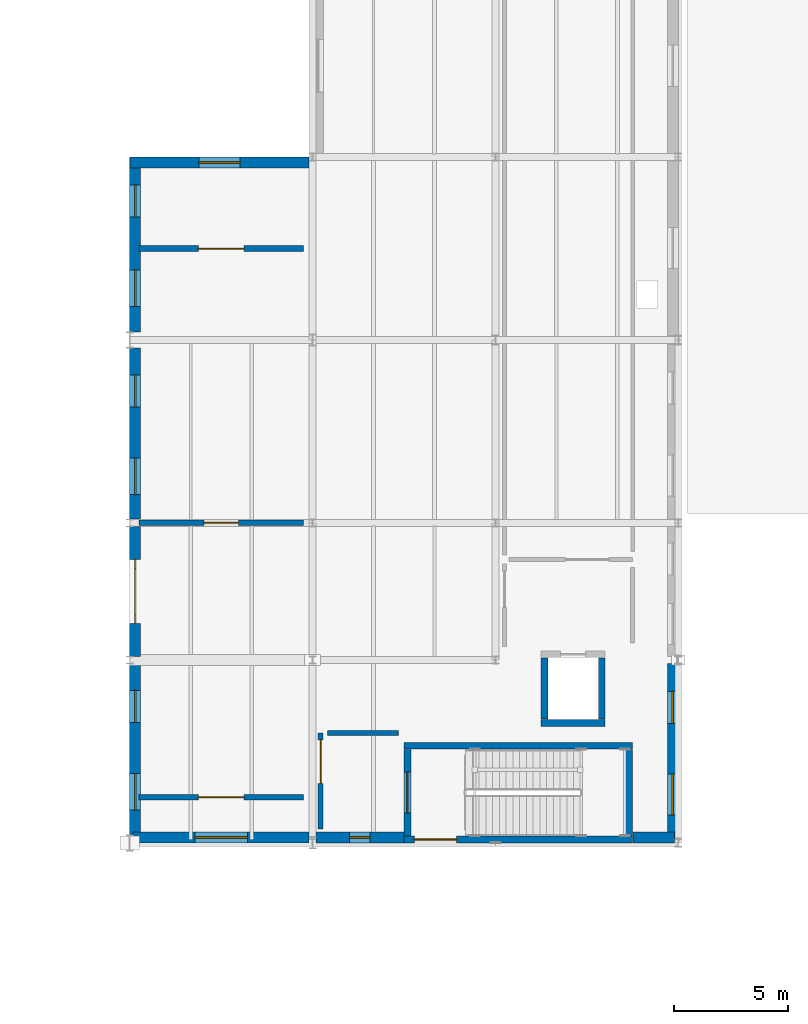
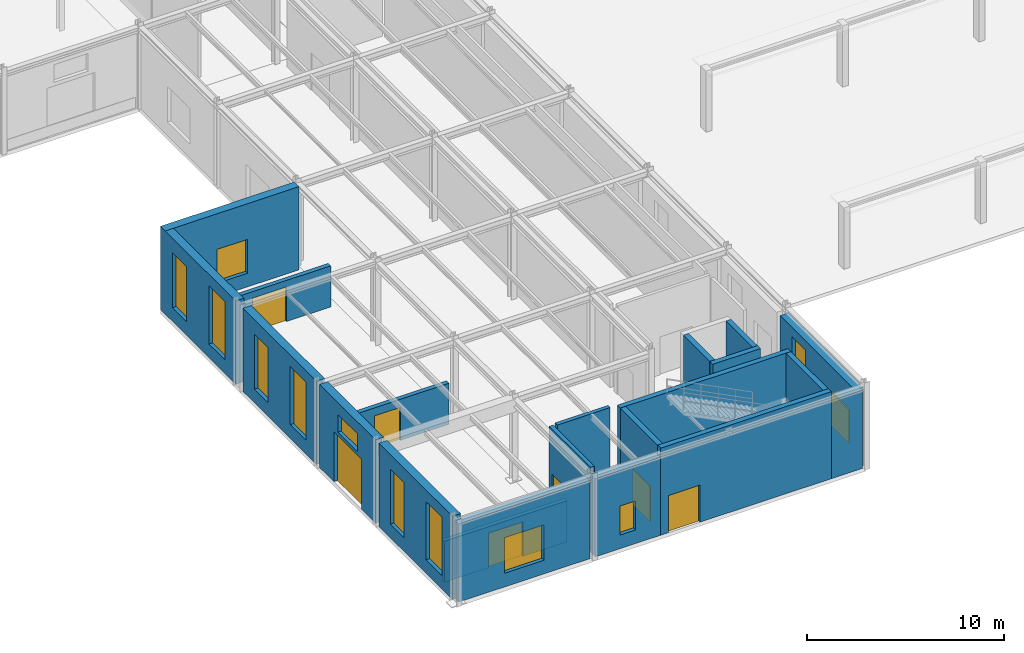
# One storey, part 76 of 129: 21 walls, 12 windows, 7 doors, 19 openings.
"""IFC4 building model written with IfcOpenShell, lengths in metres."""

from ifc_helpers import new_model, si_unit, direction, frame, frame_2d, origin, place, context, subcontext, project, spatial, rectangle, extrude, material, layer, layer_set, type_object, element, fill, save


model = new_model("IFC4")

# Units and contexts
model_context = context("Model", 3, precision=1e-05, world=origin(), true_north=direction((0.0, 1.0)))
body_context = subcontext(model_context, "Body", "Model", "MODEL_VIEW")
ifc_project = project(units=[si_unit("LENGTHUNIT", "METRE"), si_unit("AREAUNIT", "SQUARE_METRE"), si_unit("VOLUMEUNIT", "CUBIC_METRE"), si_unit("PLANEANGLEUNIT", "RADIAN"), si_unit("MASSUNIT", "GRAM", prefix="KILO")], contexts=[model_context])

# Site, building, storey
site_placement = place(None, origin())
site = spatial("IfcSite", under=ifc_project, at=site_placement, CompositionType="ELEMENT")
building_placement = place(site_placement, origin())
building = spatial("IfcBuilding", under=site, at=building_placement, Name="Sundkrona Museum", CompositionType="ELEMENT")
storey_placement = place(building_placement, origin())
storey = spatial("IfcBuildingStorey", under=building, at=storey_placement, Name="L00", CompositionType="ELEMENT", Elevation=0.0)

# Wall, opening, door
ifc_material_1 = material(Name="Concrete C40/50", Category="concrete")
ifc_layer_1 = layer(ifc_material_1, 0.300048828125)
ifc_layer_set_1 = layer_set([ifc_layer_1], Name="Concrete C40/50")
wall_type_1 = type_object("IfcWallType", Name="W-CORE-300", PredefinedType="SHEAR", material=ifc_layer_set_1)
wall_1_placement = place(storey_placement, frame((28.0, 32.14990234375, 0.0), z_axis=(0.0, 0.0, 1.0), x_axis=(1.0, 0.0, 0.0)))
wall_1 = element("IfcWall", 1, at=wall_1_placement, inside=storey, type_object=wall_type_1, Name="L00 ST-4 Core Shear Wall South", PredefinedType="SHEAR", context=body_context, shape_type="SweptSolid", body=[
    extrude(rectangle(XDim=10.0, YDim=0.300048828125, at=frame_2d((5.0, 0.0))), origin(), (0.0, 0.0, 1.0), 5.39990234375),
])
opening_1_placement = place(wall_1_placement, frame((0.449951171875, 0.0, 0.0)))
opening_1 = element("IfcOpeningElement", 2, at=opening_1_placement, cuts=wall_1, Name="Opening D-EX-185", PredefinedType="OPENING", context=body_context, shape_type="SweptSolid", body=[
    extrude(rectangle(XDim=1.85009765625, YDim=2.300048828125, at=frame_2d((0.925048828125, 1.14990234375))), frame((0.0, 0.159912109375, 0.0), z_axis=(0.0, -1.0, 0.0), x_axis=(1.0, 0.0, 0.0)), (0.0, 0.0, 1.0), 0.320068359375),
])
ifc_material_2 = material(Name="Thermally Broken Aluminium Exit Door", Category="aluminium")
door_type_1 = type_object("IfcDoorType", Name="D-EX-185", OperationType="DOUBLE_DOOR_SINGLE_SWING", PredefinedType="DOOR", material=ifc_material_2)
door_1_placement = place(opening_1_placement, origin())
door_1 = element("IfcDoor", 3, at=door_1_placement, inside=storey, type_object=door_type_1, Name="Core 4 ST-4 Forecourt Exit Door FE-10 DR-ST4-EXIT", OperationType="DOUBLE_DOOR_SINGLE_SWING", OverallHeight=2.300048828125, OverallWidth=1.85009765625, PredefinedType="DOOR", context=body_context, shape_type="SweptSolid", body=[
    extrude(rectangle(XDim=1.85009765625, YDim=2.300048828125, at=frame_2d((0.925048828125, 1.14990234375))), frame((0.0, 0.02490234375, 0.0), z_axis=(0.0, -1.0, 0.0), x_axis=(1.0, 0.0, 0.0)), (0.0, 0.0, 1.0), 0.050048828125),
])
fill(opening_1, door_1)

# Wall
wall_2_placement = place(storey_placement, frame((28.0, 36.25, 0.0), z_axis=(0.0, 0.0, 1.0), x_axis=(1.0, 0.0, 0.0)))
element("IfcWall", 4, at=wall_2_placement, inside=storey, type_object=wall_type_1, Name="L00 ST-4 Core Shear Wall North", PredefinedType="SHEAR", context=body_context, shape_type="SweptSolid", body=[
    extrude(rectangle(XDim=10.0, YDim=0.300048828125, at=frame_2d((5.0, 0.0))), origin(), (0.0, 0.0, 1.0), 5.39990234375),
])

# Wall, opening, door
wall_3_placement = place(storey_placement, frame((28.14990234375, 32.31005859375, 0.0), z_axis=(0.0, 0.0, 1.0), x_axis=(0.0, 1.0, 0.0)))
wall_3 = element("IfcWall", 5, at=wall_3_placement, inside=storey, type_object=wall_type_1, Name="L00 ST-4 Core Shear Wall West", PredefinedType="SHEAR", context=body_context, shape_type="SweptSolid", body=[
    extrude(rectangle(XDim=3.780029296875, YDim=0.300048828125, at=frame_2d((1.89013671875, 0.0))), origin(), (0.0, 0.0, 1.0), 5.39990234375),
])
opening_2_placement = place(wall_3_placement, frame((0.989990234375, 0.0, 0.0)))
opening_2 = element("IfcOpeningElement", 6, at=opening_2_placement, cuts=wall_3, Name="Opening D-FD60", PredefinedType="OPENING", context=body_context, shape_type="SweptSolid", body=[
    extrude(rectangle(XDim=1.800048828125, YDim=2.199951171875, at=frame_2d((0.89990234375, 1.10009765625))), frame((0.0, 0.159912109375, 0.0), z_axis=(0.0, -1.0, 0.0), x_axis=(1.0, 0.0, 0.0)), (0.0, 0.0, 1.0), 0.320068359375),
])
ifc_material_3 = material(Name="Steel S355J2 Fire Door Leaf", Category="steel")
door_type_2 = type_object("IfcDoorType", Name="D-FD60", OperationType="DOUBLE_DOOR_SINGLE_SWING", PredefinedType="DOOR", material=ifc_material_3)
door_2_placement = place(opening_2_placement, origin())
door_2 = element("IfcDoor", 7, at=door_2_placement, inside=storey, type_object=door_type_2, Name="L00 ST-4 Protected Escape Stair Door DR-ST-4-L00", OperationType="DOUBLE_DOOR_SINGLE_SWING", OverallHeight=2.199951171875, OverallWidth=1.800048828125, PredefinedType="DOOR", context=body_context, shape_type="SweptSolid", body=[
    extrude(rectangle(XDim=1.800048828125, YDim=2.199951171875, at=frame_2d((0.89990234375, 1.10009765625))), frame((0.0, 0.02490234375, 0.0), z_axis=(0.0, -1.0, 0.0), x_axis=(1.0, 0.0, 0.0)), (0.0, 0.0, 1.0), 0.050048828125),
])
fill(opening_2, door_2)

# Walls
wall_4_placement = place(storey_placement, frame((37.85009765625, 32.31005859375, 0.0), z_axis=(0.0, 0.0, 1.0), x_axis=(0.0, 1.0, 0.0)))
element("IfcWall", 8, at=wall_4_placement, inside=storey, type_object=wall_type_1, Name="L00 ST-4 Core Shear Wall East", PredefinedType="SHEAR", context=body_context, shape_type="SweptSolid", body=[
    extrude(rectangle(XDim=3.780029296875, YDim=0.300048828125, at=frame_2d((1.89013671875, 0.0))), origin(), (0.0, 0.0, 1.0), 5.39990234375),
])
wall_5_placement = place(storey_placement, frame((34.0, 37.25, 0.0), z_axis=(0.0, 0.0, 1.0), x_axis=(1.0, 0.0, 0.0)))
element("IfcWall", 9, at=wall_5_placement, inside=storey, type_object=wall_type_1, Name="L00 PL-4 Lift Shaft Wall South", PredefinedType="SHEAR", context=body_context, shape_type="SweptSolid", body=[
    extrude(rectangle(XDim=2.800048828125, YDim=0.300048828125, at=frame_2d((1.39990234375, 0.0))), origin(), (0.0, 0.0, 1.0), 5.39990234375),
])
for number, where, z_axis, x_axis, name in (
    (10, (34.14990234375, 37.409912109375, 0.0), (0.0, 0.0, 1.0), (0.0, 1.0, 0.0), "L00 PL-4 Lift Shaft Wall West"),
    (11, (36.64990234375, 37.409912109375, 0.0), (0.0, 0.0, 1.0), (0.0, 1.0, 0.0), "L00 PL-4 Lift Shaft Wall East"),
):
    element("IfcWall", number, at=place(storey_placement, frame(where, z_axis=z_axis, x_axis=x_axis)), inside=storey, type_object=wall_type_1, Name=name, PredefinedType="SHEAR", context=body_context, shape_type="SweptSolid", body=[
        extrude(rectangle(XDim=2.68017578125, YDim=0.300048828125, at=frame_2d((1.340087890625, 0.0))), origin(), (0.0, 0.0, 1.0), 5.39990234375),
    ])

# Wall, opening, door
ifc_material_4 = material(Name="Autoclaved Aerated Masonry 225 mm", Category="masonry")
ifc_layer_2 = layer(ifc_material_4, 0.22509765625)
ifc_layer_set_2 = layer_set([ifc_layer_2], Name="Autoclaved Aerated Masonry 225 mm")
wall_type_2 = type_object("IfcWallType", Name="W-FF-225", PredefinedType="SOLIDWALL", material=ifc_layer_set_2)
wall_6_placement = place(storey_placement, frame((24.35009765625, 32.60009765625, 0.0), z_axis=(0.0, 0.0, 1.0), x_axis=(0.0, 1.0, 0.0)))
wall_6 = element("IfcWall", 12, at=wall_6_placement, inside=storey, type_object=wall_type_2, Name="L00 Partition Core 4 Stair Lobby / Cloister Entry Gallery", PredefinedType="SOLIDWALL", context=body_context, shape_type="SweptSolid", body=[
    extrude(rectangle(XDim=4.199951171875, YDim=0.22509765625, at=frame_2d((2.10009765625, 0.0))), origin(), (0.0, 0.0, 1.0), 5.159912109375),
])
opening_3_placement = place(wall_6_placement, frame((2.0, 0.0, 0.0)))
opening_3 = element("IfcOpeningElement", 13, at=opening_3_placement, cuts=wall_6, Name="Opening D-AUD-190", PredefinedType="OPENING", context=body_context, shape_type="SweptSolid", body=[
    extrude(rectangle(XDim=1.89990234375, YDim=2.35009765625, at=frame_2d((0.949951171875, 1.175048828125))), frame((0.0, 0.12255859375, 0.0), z_axis=(0.0, -1.0, 0.0), x_axis=(1.0, 0.0, 0.0)), (0.0, 0.0, 1.0), 0.2451171875),
])
ifc_material_5 = material(Name="Acoustic Oak Fire Door", Category="other")
door_type_3 = type_object("IfcDoorType", Name="D-AUD-190", OperationType="DOUBLE_DOOR_SINGLE_SWING", PredefinedType="DOOR", material=ifc_material_5)
door_3_placement = place(opening_3_placement, origin())
door_3 = element("IfcDoor", 14, at=door_3_placement, inside=storey, type_object=door_type_3, Name="L00 Interior Door DR-ADJ-L00-0041", OperationType="DOUBLE_DOOR_SINGLE_SWING", OverallHeight=2.35009765625, OverallWidth=1.89990234375, PredefinedType="DOOR", context=body_context, shape_type="SweptSolid", body=[
    extrude(rectangle(XDim=1.89990234375, YDim=2.35009765625, at=frame_2d((0.949951171875, 1.175048828125))), frame((0.0, 0.02490234375, 0.0), z_axis=(0.0, -1.0, 0.0), x_axis=(1.0, 0.0, 0.0)), (0.0, 0.0, 1.0), 0.050048828125),
])
fill(opening_3, door_3)

# Wall
wall_7_placement = place(storey_placement, frame((24.64990234375, 36.800048828125, 0.0), z_axis=(0.0, 0.0, 1.0), x_axis=(1.0, 0.0, 0.0)))
element("IfcWall", 15, at=wall_7_placement, inside=storey, type_object=wall_type_2, Name="L00 Core 4 Stair Lobby Enclosure Wall N", PredefinedType="SOLIDWALL", context=body_context, shape_type="SweptSolid", body=[
    extrude(rectangle(XDim=3.10009765625, YDim=0.22509765625, at=frame_2d((1.550048828125, 0.0))), origin(), (0.0, 0.0, 1.0), 5.159912109375),
])

# Wall, openings, windows
ifc_material_6 = material(Name="Danian Limestone Ashlar Masonry 480 mm", Category="masonry")
ifc_layer_3 = layer(ifc_material_6, 0.47998046875)
ifc_layer_set_3 = layer_set([ifc_layer_3], Name="Danian Limestone Ashlar Masonry 480 mm")
wall_type_3 = type_object("IfcWallType", Name="W-LIM-480", PredefinedType="SOLIDWALL", material=ifc_layer_set_3)
wall_8_placement = place(storey_placement, frame((16.239990234375, 32.360107421875, 0.0), z_axis=(0.0, 0.0, 1.0), x_axis=(0.0, 1.0, 0.0)))
wall_8 = element("IfcWall", 16, at=wall_8_placement, inside=storey, type_object=wall_type_3, Name="L00 Facade Wall 0193", PredefinedType="SOLIDWALL", context=body_context, shape_type="SweptSolid", body=[
    extrude(rectangle(XDim=7.477783203125, YDim=0.47998046875, at=frame_2d((3.73876953125, 0.0))), origin(), (0.0, 0.0, 1.0), 5.159912109375),
])
opening_4_placement = place(wall_8_placement, frame((1.069580078125, 0.0, 0.85009765625)))
opening_4 = element("IfcOpeningElement", 17, at=opening_4_placement, cuts=wall_8, Name="Opening WN-LN-160x360", PredefinedType="OPENING", context=body_context, shape_type="SweptSolid", body=[
    extrude(rectangle(XDim=1.60009765625, YDim=3.60009765625, at=frame_2d((0.800048828125, 1.800048828125))), frame((0.0, 0.25, 0.0), z_axis=(0.0, -1.0, 0.0), x_axis=(1.0, 0.0, 0.0)), (0.0, 0.0, 1.0), 0.5),
])
opening_5_placement = place(wall_8_placement, frame((4.908447265625, 0.0, 0.85009765625)))
opening_5 = element("IfcOpeningElement", 18, at=opening_5_placement, cuts=wall_8, Name="Opening WN-LN-140x340", PredefinedType="OPENING", context=body_context, shape_type="SweptSolid", body=[
    extrude(rectangle(XDim=1.39990234375, YDim=3.39990234375, at=frame_2d((0.699951171875, 1.699951171875))), frame((0.0, 0.25, 0.0), z_axis=(0.0, -1.0, 0.0), x_axis=(1.0, 0.0, 0.0)), (0.0, 0.0, 1.0), 0.5),
])
ifc_material_7 = material(Name="Triple Low-E Argon Glazing in Bronze-Anodised Aluminium", Category="aluminium")
window_type_1 = type_object("IfcWindowType", Name="WN-LN-140x340", PartitioningType="SINGLE_PANEL", PredefinedType="WINDOW", material=ifc_material_7)
window_1_placement = place(opening_5_placement, origin())
window_1 = element("IfcWindow", 19, at=window_1_placement, inside=storey, type_object=window_type_1, Name="L00 Tall brick-pier gallery window 1400x3400 WIN-L00-0268", OverallHeight=3.39990234375, OverallWidth=1.39990234375, PartitioningType="SINGLE_PANEL", PredefinedType="WINDOW", context=body_context, shape_type="SweptSolid", body=[
    extrude(rectangle(XDim=1.39990234375, YDim=3.39990234375, at=frame_2d((0.699951171875, 1.699951171875))), frame((0.0, 0.030029296875, 0.0), z_axis=(0.0, -1.0, 0.0), x_axis=(1.0, 0.0, 0.0)), (0.0, 0.0, 1.0), 0.06005859375),
])
fill(opening_5, window_1)
window_type_2 = type_object("IfcWindowType", Name="WN-LN-160x360", PartitioningType="DOUBLE_PANEL_VERTICAL", PredefinedType="WINDOW", material=ifc_material_7)
window_2_placement = place(opening_4_placement, origin())
window_2 = element("IfcWindow", 20, at=window_2_placement, inside=storey, type_object=window_type_2, Name="L00 Monumental double-height lancet window 1600x3600 WIN-L00-0267", OverallHeight=3.60009765625, OverallWidth=1.60009765625, PartitioningType="DOUBLE_PANEL_VERTICAL", PredefinedType="WINDOW", context=body_context, shape_type="SweptSolid", body=[
    extrude(rectangle(XDim=1.60009765625, YDim=3.60009765625, at=frame_2d((0.800048828125, 1.800048828125))), frame((0.0, 0.030029296875, 0.0), z_axis=(0.0, -1.0, 0.0), x_axis=(1.0, 0.0, 0.0)), (0.0, 0.0, 1.0), 0.06005859375),
])
fill(opening_4, window_2)

# Wall, openings, door, window
wall_9_placement = place(storey_placement, frame((16.239990234375, 40.162109375, 0.0), z_axis=(0.0, 0.0, 1.0), x_axis=(0.0, 1.0, 0.0)))
wall_9 = element("IfcWall", 21, at=wall_9_placement, inside=storey, type_object=wall_type_3, Name="L00 Facade Wall 0194", PredefinedType="SOLIDWALL", context=body_context, shape_type="SweptSolid", body=[
    extrude(rectangle(XDim=5.67578125, YDim=0.47998046875, at=frame_2d((2.837890625, 0.0))), origin(), (0.0, 0.0, 1.0), 5.159912109375),
])
opening_6_placement = place(wall_9_placement, frame((1.43798828125, 0.0, 0.0)))
opening_6 = element("IfcOpeningElement", 22, at=opening_6_placement, cuts=wall_9, Name="Opening D-EX-280", PredefinedType="OPENING", context=body_context, shape_type="SweptSolid", body=[
    extrude(rectangle(XDim=2.800048828125, YDim=3.10009765625, at=frame_2d((1.39990234375, 1.550048828125))), frame((0.0, 0.25, 0.0), z_axis=(0.0, -1.0, 0.0), x_axis=(1.0, 0.0, 0.0)), (0.0, 0.0, 1.0), 0.5),
])
opening_7_placement = place(wall_9_placement, frame((1.837890625, 0.0, 3.320068359375)))
opening_7 = element("IfcOpeningElement", 23, at=opening_7_placement, cuts=wall_9, Name="Opening WN-CL-200x110", PredefinedType="OPENING", context=body_context, shape_type="SweptSolid", body=[
    extrude(rectangle(XDim=2.0, YDim=1.10009765625, at=frame_2d((1.0, 0.550048828125))), frame((0.0, 0.25, 0.0), z_axis=(0.0, -1.0, 0.0), x_axis=(1.0, 0.0, 0.0)), (0.0, 0.0, 1.0), 0.5),
])
ifc_material_8 = material(Name="Bronze and Triple-Glazed Entrance Door", Category="other")
door_type_4 = type_object("IfcDoorType", Name="D-EX-280", OperationType="DOUBLE_DOOR_SINGLE_SWING", PredefinedType="DOOR", material=ifc_material_8)
door_4_placement = place(opening_6_placement, origin())
door_4 = element("IfcDoor", 24, at=door_4_placement, inside=storey, type_object=door_type_4, Name="L00 Exterior Door D-EX-280 DR-FE-V4W", OperationType="DOUBLE_DOOR_SINGLE_SWING", OverallHeight=3.10009765625, OverallWidth=2.800048828125, PredefinedType="DOOR", context=body_context, shape_type="SweptSolid", body=[
    extrude(rectangle(XDim=2.800048828125, YDim=3.10009765625, at=frame_2d((1.39990234375, 1.550048828125))), frame((0.0, 0.02490234375, 0.0), z_axis=(0.0, -1.0, 0.0), x_axis=(1.0, 0.0, 0.0)), (0.0, 0.0, 1.0), 0.050048828125),
])
fill(opening_6, door_4)
window_type_3 = type_object("IfcWindowType", Name="WN-CL-200x110", PartitioningType="DOUBLE_PANEL_HORIZONTAL", PredefinedType="WINDOW", material=ifc_material_7)
window_3_placement = place(opening_7_placement, origin())
window_3 = element("IfcWindow", 25, at=window_3_placement, inside=storey, type_object=window_type_3, Name="L00 Archive foyer clerestory window 2000x1100 WIN-L00-0269", OverallHeight=1.10009765625, OverallWidth=2.0, PartitioningType="DOUBLE_PANEL_HORIZONTAL", PredefinedType="WINDOW", context=body_context, shape_type="SweptSolid", body=[
    extrude(rectangle(XDim=2.0, YDim=1.10009765625, at=frame_2d((1.0, 0.550048828125))), frame((0.0, 0.030029296875, 0.0), z_axis=(0.0, -1.0, 0.0), x_axis=(1.0, 0.0, 0.0)), (0.0, 0.0, 1.0), 0.06005859375),
])
fill(opening_7, window_3)

# Wall, openings, windows
wall_10_placement = place(storey_placement, frame((16.239990234375, 46.162109375, 0.0), z_axis=(0.0, 0.0, 1.0), x_axis=(0.0, 1.0, 0.0)))
wall_10 = element("IfcWall", 26, at=wall_10_placement, inside=storey, type_object=wall_type_3, Name="L00 Facade Wall 0195", PredefinedType="SOLIDWALL", context=body_context, shape_type="SweptSolid", body=[
    extrude(rectangle(XDim=7.477783203125, YDim=0.47998046875, at=frame_2d((3.73876953125, 0.0))), origin(), (0.0, 0.0, 1.0), 5.159912109375),
])
opening_8_placement = place(wall_10_placement, frame((1.069580078125, 0.0, 0.85009765625)))
opening_8 = element("IfcOpeningElement", 27, at=opening_8_placement, cuts=wall_10, Name="Opening WN-LN-160x360", PredefinedType="OPENING", context=body_context, shape_type="SweptSolid", body=[
    extrude(rectangle(XDim=1.60009765625, YDim=3.60009765625, at=frame_2d((0.800048828125, 1.800048828125))), frame((0.0, 0.25, 0.0), z_axis=(0.0, -1.0, 0.0), x_axis=(1.0, 0.0, 0.0)), (0.0, 0.0, 1.0), 0.5),
])
opening_9_placement = place(wall_10_placement, frame((4.908447265625, 0.0, 0.85009765625)))
opening_9 = element("IfcOpeningElement", 28, at=opening_9_placement, cuts=wall_10, Name="Opening WN-LN-140x340", PredefinedType="OPENING", context=body_context, shape_type="SweptSolid", body=[
    extrude(rectangle(XDim=1.39990234375, YDim=3.39990234375, at=frame_2d((0.699951171875, 1.699951171875))), frame((0.0, 0.25, 0.0), z_axis=(0.0, -1.0, 0.0), x_axis=(1.0, 0.0, 0.0)), (0.0, 0.0, 1.0), 0.5),
])
window_4_placement = place(opening_9_placement, origin())
window_4 = element("IfcWindow", 29, at=window_4_placement, inside=storey, type_object=window_type_1, Name="L00 Tall brick-pier gallery window 1400x3400 WIN-L00-0271", OverallHeight=3.39990234375, OverallWidth=1.39990234375, PartitioningType="SINGLE_PANEL", PredefinedType="WINDOW", context=body_context, shape_type="SweptSolid", body=[
    extrude(rectangle(XDim=1.39990234375, YDim=3.39990234375, at=frame_2d((0.699951171875, 1.699951171875))), frame((0.0, 0.030029296875, 0.0), z_axis=(0.0, -1.0, 0.0), x_axis=(1.0, 0.0, 0.0)), (0.0, 0.0, 1.0), 0.06005859375),
])
fill(opening_9, window_4)
window_5_placement = place(opening_8_placement, origin())
window_5 = element("IfcWindow", 30, at=window_5_placement, inside=storey, type_object=window_type_2, Name="L00 Monumental double-height lancet window 1600x3600 WIN-L00-0270", OverallHeight=3.60009765625, OverallWidth=1.60009765625, PartitioningType="DOUBLE_PANEL_VERTICAL", PredefinedType="WINDOW", context=body_context, shape_type="SweptSolid", body=[
    extrude(rectangle(XDim=1.60009765625, YDim=3.60009765625, at=frame_2d((0.800048828125, 1.800048828125))), frame((0.0, 0.030029296875, 0.0), z_axis=(0.0, -1.0, 0.0), x_axis=(1.0, 0.0, 0.0)), (0.0, 0.0, 1.0), 0.06005859375),
])
fill(opening_8, window_5)

wall_11_placement = place(storey_placement, frame((16.239990234375, 54.360107421875, 0.0), z_axis=(0.0, 0.0, 1.0), x_axis=(0.0, 1.0, 0.0)))
wall_11 = element("IfcWall", 31, at=wall_11_placement, inside=storey, type_object=wall_type_3, Name="L00 Facade Wall 0196", PredefinedType="SOLIDWALL", context=body_context, shape_type="SweptSolid", body=[
    extrude(rectangle(XDim=7.6298828125, YDim=0.47998046875, at=frame_2d((3.81494140625, 0.0))), origin(), (0.0, 0.0, 1.0), 5.159912109375),
])
opening_10_placement = place(wall_11_placement, frame((1.107421875, 0.0, 0.85009765625)))
opening_10 = element("IfcOpeningElement", 32, at=opening_10_placement, cuts=wall_11, Name="Opening WN-LN-160x360", PredefinedType="OPENING", context=body_context, shape_type="SweptSolid", body=[
    extrude(rectangle(XDim=1.60009765625, YDim=3.60009765625, at=frame_2d((0.800048828125, 1.800048828125))), frame((0.0, 0.25, 0.0), z_axis=(0.0, -1.0, 0.0), x_axis=(1.0, 0.0, 0.0)), (0.0, 0.0, 1.0), 0.5),
])
opening_11_placement = place(wall_11_placement, frame((5.0224609375, 0.0, 0.85009765625)))
opening_11 = element("IfcOpeningElement", 33, at=opening_11_placement, cuts=wall_11, Name="Opening WN-LN-140x340", PredefinedType="OPENING", context=body_context, shape_type="SweptSolid", body=[
    extrude(rectangle(XDim=1.39990234375, YDim=3.39990234375, at=frame_2d((0.699951171875, 1.699951171875))), frame((0.0, 0.25, 0.0), z_axis=(0.0, -1.0, 0.0), x_axis=(1.0, 0.0, 0.0)), (0.0, 0.0, 1.0), 0.5),
])
window_6_placement = place(opening_11_placement, origin())
window_6 = element("IfcWindow", 34, at=window_6_placement, inside=storey, type_object=window_type_1, Name="L00 Tall brick-pier gallery window 1400x3400 WIN-L00-0273", OverallHeight=3.39990234375, OverallWidth=1.39990234375, PartitioningType="SINGLE_PANEL", PredefinedType="WINDOW", context=body_context, shape_type="SweptSolid", body=[
    extrude(rectangle(XDim=1.39990234375, YDim=3.39990234375, at=frame_2d((0.699951171875, 1.699951171875))), frame((0.0, 0.030029296875, 0.0), z_axis=(0.0, -1.0, 0.0), x_axis=(1.0, 0.0, 0.0)), (0.0, 0.0, 1.0), 0.06005859375),
])
fill(opening_11, window_6)
window_7_placement = place(opening_10_placement, origin())
window_7 = element("IfcWindow", 35, at=window_7_placement, inside=storey, type_object=window_type_2, Name="L00 Monumental double-height lancet window 1600x3600 WIN-L00-0272", OverallHeight=3.60009765625, OverallWidth=1.60009765625, PartitioningType="DOUBLE_PANEL_VERTICAL", PredefinedType="WINDOW", context=body_context, shape_type="SweptSolid", body=[
    extrude(rectangle(XDim=1.60009765625, YDim=3.60009765625, at=frame_2d((0.800048828125, 1.800048828125))), frame((0.0, 0.030029296875, 0.0), z_axis=(0.0, -1.0, 0.0), x_axis=(1.0, 0.0, 0.0)), (0.0, 0.0, 1.0), 0.06005859375),
])
fill(opening_10, window_7)

# Wall, opening, window
wall_12_placement = place(storey_placement, frame((23.844970703125, 32.239990234375, 0.0), z_axis=(0.0, 0.0, 1.0), x_axis=(-1.0, 0.0, 0.0)))
wall_12 = element("IfcWall", 36, at=wall_12_placement, inside=storey, type_object=wall_type_3, Name="L00 Facade Wall 0197", PredefinedType="SOLIDWALL", context=body_context, shape_type="SweptSolid", body=[
    extrude(rectangle(XDim=7.69091796875, YDim=0.47998046875, at=frame_2d((3.845458984375, 0.0))), origin(), (0.0, 0.0, 1.0), 4.8349609375),
])
opening_12_placement = place(wall_12_placement, frame((2.695556640625, 0.0, 0.85009765625)))
opening_12 = element("IfcOpeningElement", 37, at=opening_12_placement, cuts=wall_12, Name="Opening WN-ED-230x220", PredefinedType="OPENING", context=body_context, shape_type="SweptSolid", body=[
    extrude(rectangle(XDim=2.300048828125, YDim=2.199951171875, at=frame_2d((1.14990234375, 1.10009765625))), frame((0.0, 0.25, 0.0), z_axis=(0.0, -1.0, 0.0), x_axis=(1.0, 0.0, 0.0)), (0.0, 0.0, 1.0), 0.5),
])
window_type_4 = type_object("IfcWindowType", Name="WN-ED-230x220", PartitioningType="DOUBLE_PANEL_VERTICAL", PredefinedType="WINDOW", material=ifc_material_7)
window_8_placement = place(opening_12_placement, origin())
window_8 = element("IfcWindow", 38, at=window_8_placement, inside=storey, type_object=window_type_4, Name="L00 Lecture foyer courtyard window 2300x2200 WIN-L00-0274", OverallHeight=2.199951171875, OverallWidth=2.300048828125, PartitioningType="DOUBLE_PANEL_VERTICAL", PredefinedType="WINDOW", context=body_context, shape_type="SweptSolid", body=[
    extrude(rectangle(XDim=2.300048828125, YDim=2.199951171875, at=frame_2d((1.14990234375, 1.10009765625))), frame((0.0, 0.030029296875, 0.0), z_axis=(0.0, -1.0, 0.0), x_axis=(1.0, 0.0, 0.0)), (0.0, 0.0, 1.0), 0.06005859375),
])
fill(opening_12, window_8)

wall_13_placement = place(storey_placement, frame((27.989990234375, 32.239990234375, 0.0), z_axis=(0.0, 0.0, 1.0), x_axis=(-1.0, 0.0, 0.0)))
wall_13 = element("IfcWall", 39, at=wall_13_placement, inside=storey, type_object=wall_type_3, Name="L00 Facade Wall 0198", PredefinedType="SOLIDWALL", context=body_context, shape_type="SweptSolid", body=[
    extrude(rectangle(XDim=3.8349609375, YDim=0.47998046875, at=frame_2d((1.91748046875, 0.0))), origin(), (0.0, 0.0, 1.0), 4.8349609375),
])
opening_13_placement = place(wall_13_placement, frame((1.467529296875, 0.0, 0.85009765625)))
opening_13 = element("IfcOpeningElement", 40, at=opening_13_placement, cuts=wall_13, Name="Opening WN-ST-090x180", PredefinedType="OPENING", context=body_context, shape_type="SweptSolid", body=[
    extrude(rectangle(XDim=0.89990234375, YDim=1.800048828125, at=frame_2d((0.449951171875, 0.89990234375))), frame((0.0, 0.25, 0.0), z_axis=(0.0, -1.0, 0.0), x_axis=(1.0, 0.0, 0.0)), (0.0, 0.0, 1.0), 0.5),
])
window_type_5 = type_object("IfcWindowType", Name="WN-ST-090x180", PartitioningType="SINGLE_PANEL", PredefinedType="WINDOW", material=ifc_material_7)
window_9_placement = place(opening_13_placement, origin())
window_9 = element("IfcWindow", 41, at=window_9_placement, inside=storey, type_object=window_type_5, Name="L00 Stair-core avenue daylight slot window 900x1800 WIN-L00-0275", OverallHeight=1.800048828125, OverallWidth=0.89990234375, PartitioningType="SINGLE_PANEL", PredefinedType="WINDOW", context=body_context, shape_type="SweptSolid", body=[
    extrude(rectangle(XDim=0.89990234375, YDim=1.800048828125, at=frame_2d((0.449951171875, 0.89990234375))), frame((0.0, 0.030029296875, 0.0), z_axis=(0.0, -1.0, 0.0), x_axis=(1.0, 0.0, 0.0)), (0.0, 0.0, 1.0), 0.06005859375),
])
fill(opening_13, window_9)

# Wall
wall_14_placement = place(storey_placement, frame((39.843994140625, 32.239990234375, 0.0), z_axis=(0.0, 0.0, 1.0), x_axis=(-1.0, 0.0, 0.0)))
element("IfcWall", 42, at=wall_14_placement, inside=storey, type_object=wall_type_3, Name="L00 Facade Wall 0199", PredefinedType="SOLIDWALL", context=body_context, shape_type="SweptSolid", body=[
    extrude(rectangle(XDim=1.833984375, YDim=0.47998046875, at=frame_2d((0.9169921875, 0.0))), origin(), (0.0, 0.0, 1.0), 4.8349609375),
])

# Wall, opening, window
wall_15_placement = place(storey_placement, frame((16.010009765625, 61.760009765625, 0.0), z_axis=(0.0, 0.0, 1.0), x_axis=(1.0, 0.0, 0.0)))
wall_15 = element("IfcWall", 43, at=wall_15_placement, inside=storey, type_object=wall_type_3, Name="L00 Facade Wall 0200", PredefinedType="SOLIDWALL", context=body_context, shape_type="SweptSolid", body=[
    extrude(rectangle(XDim=7.837890625, YDim=0.47998046875, at=frame_2d((3.9189453125, 0.0))), origin(), (0.0, 0.0, 1.0), 5.159912109375),
])
opening_14_placement = place(wall_15_placement, frame((3.01904296875, 0.0, 0.85009765625)))
opening_14 = element("IfcOpeningElement", 44, at=opening_14_placement, cuts=wall_15, Name="Opening WN-ED-180x210", PredefinedType="OPENING", context=body_context, shape_type="SweptSolid", body=[
    extrude(rectangle(XDim=1.800048828125, YDim=2.10009765625, at=frame_2d((0.89990234375, 1.050048828125))), frame((0.0, 0.25, 0.0), z_axis=(0.0, -1.0, 0.0), x_axis=(1.0, 0.0, 0.0)), (0.0, 0.0, 1.0), 0.5),
])
window_type_6 = type_object("IfcWindowType", Name="WN-ED-180x210", PartitioningType="DOUBLE_PANEL_VERTICAL", PredefinedType="WINDOW", material=ifc_material_7)
window_10_placement = place(opening_14_placement, origin())
window_10 = element("IfcWindow", 45, at=window_10_placement, inside=storey, type_object=window_type_6, Name="L00 Education studio courtyard window 1800x2100 WIN-L00-0276", OverallHeight=2.10009765625, OverallWidth=1.800048828125, PartitioningType="DOUBLE_PANEL_VERTICAL", PredefinedType="WINDOW", context=body_context, shape_type="SweptSolid", body=[
    extrude(rectangle(XDim=1.800048828125, YDim=2.10009765625, at=frame_2d((0.89990234375, 1.050048828125))), frame((0.0, 0.030029296875, 0.0), z_axis=(0.0, -1.0, 0.0), x_axis=(1.0, 0.0, 0.0)), (0.0, 0.0, 1.0), 0.06005859375),
])
fill(opening_14, window_10)

# Wall, openings, windows
wall_16_placement = place(storey_placement, frame((39.760009765625, 39.837890625, 0.0), z_axis=(0.0, 0.0, 1.0), x_axis=(0.0, -1.0, 0.0)))
wall_16 = element("IfcWall", 46, at=wall_16_placement, inside=storey, type_object=wall_type_3, Name="L00 Facade Wall 0201", PredefinedType="SOLIDWALL", context=body_context, shape_type="SweptSolid", body=[
    extrude(rectangle(XDim=7.638427734375, YDim=0.47998046875, at=frame_2d((3.8193359375, 0.0))), origin(), (0.0, 0.0, 1.0), 4.8349609375),
])
opening_15_placement = place(wall_16_placement, frame((1.209716796875, 0.0, 0.85009765625)))
opening_15 = element("IfcOpeningElement", 47, at=opening_15_placement, cuts=wall_16, Name="Opening WN-LN-140x340", PredefinedType="OPENING", context=body_context, shape_type="SweptSolid", body=[
    extrude(rectangle(XDim=1.39990234375, YDim=3.39990234375, at=frame_2d((0.699951171875, 1.699951171875))), frame((0.0, 0.25, 0.0), z_axis=(0.0, -1.0, 0.0), x_axis=(1.0, 0.0, 0.0)), (0.0, 0.0, 1.0), 0.5),
])
opening_16_placement = place(wall_16_placement, frame((4.828857421875, 0.0, 0.85009765625)))
opening_16 = element("IfcOpeningElement", 48, at=opening_16_placement, cuts=wall_16, Name="Opening WN-ED-180x210", PredefinedType="OPENING", context=body_context, shape_type="SweptSolid", body=[
    extrude(rectangle(XDim=1.800048828125, YDim=2.10009765625, at=frame_2d((0.89990234375, 1.050048828125))), frame((0.0, 0.25, 0.0), z_axis=(0.0, -1.0, 0.0), x_axis=(1.0, 0.0, 0.0)), (0.0, 0.0, 1.0), 0.5),
])
window_11_placement = place(opening_16_placement, origin())
window_11 = element("IfcWindow", 49, at=window_11_placement, inside=storey, type_object=window_type_6, Name="L00 Education studio courtyard window 1800x2100 WIN-L00-0278", OverallHeight=2.10009765625, OverallWidth=1.800048828125, PartitioningType="DOUBLE_PANEL_VERTICAL", PredefinedType="WINDOW", context=body_context, shape_type="SweptSolid", body=[
    extrude(rectangle(XDim=1.800048828125, YDim=2.10009765625, at=frame_2d((0.89990234375, 1.050048828125))), frame((0.0, 0.030029296875, 0.0), z_axis=(0.0, -1.0, 0.0), x_axis=(1.0, 0.0, 0.0)), (0.0, 0.0, 1.0), 0.06005859375),
])
fill(opening_16, window_11)
window_12_placement = place(opening_15_placement, origin())
window_12 = element("IfcWindow", 50, at=window_12_placement, inside=storey, type_object=window_type_1, Name="L00 Tall brick-pier gallery window 1400x3400 WIN-L00-0277", OverallHeight=3.39990234375, OverallWidth=1.39990234375, PartitioningType="SINGLE_PANEL", PredefinedType="WINDOW", context=body_context, shape_type="SweptSolid", body=[
    extrude(rectangle(XDim=1.39990234375, YDim=3.39990234375, at=frame_2d((0.699951171875, 1.699951171875))), frame((0.0, 0.030029296875, 0.0), z_axis=(0.0, -1.0, 0.0), x_axis=(1.0, 0.0, 0.0)), (0.0, 0.0, 1.0), 0.06005859375),
])
fill(opening_15, window_12)

# Wall, opening, door
ifc_material_9 = material(Name="Copper-capped Scanian Brick Masonry 250 mm", Category="masonry")
ifc_layer_4 = layer(ifc_material_9, 0.25)
ifc_layer_set_4 = layer_set([ifc_layer_4], Name="Copper-capped Scanian Brick Masonry 250 mm")
wall_type_4 = type_object("IfcWallType", Name="W-PR-250", PredefinedType="PARAPET", material=ifc_layer_set_4)
wall_17_placement = place(storey_placement, frame((16.39990234375, 34.0, 0.0), z_axis=(0.0, 0.0, 1.0), x_axis=(1.0, 0.0, 0.0)))
wall_17 = element("IfcWall", 51, at=wall_17_placement, inside=storey, type_object=wall_type_4, Name="Courtyard Masonry Screen Wall CL-S1", PredefinedType="PARAPET", context=body_context, shape_type="SweptSolid", body=[
    extrude(rectangle(XDim=7.2001953125, YDim=0.25, at=frame_2d((3.60009765625, 0.0))), origin(), (0.0, 0.0, 1.0), 2.550048828125),
])
opening_17_placement = place(wall_17_placement, frame((2.60009765625, 0.0, 0.0)))
opening_17 = element("IfcOpeningElement", 52, at=opening_17_placement, cuts=wall_17, Name="Opening GT-200", PredefinedType="OPENING", context=body_context, shape_type="SweptSolid", body=[
    extrude(rectangle(XDim=2.0, YDim=2.14990234375, at=frame_2d((1.0, 1.074951171875))), frame((0.0, 0.135009765625, 0.0), z_axis=(0.0, -1.0, 0.0), x_axis=(1.0, 0.0, 0.0)), (0.0, 0.0, 1.0), 0.27001953125),
])
ifc_material_10 = material(Name="Wrought Steel Modernisme Double Gate", Category="steel")
door_type_5 = type_object("IfcDoorType", Name="GT-200", OperationType="DOUBLE_DOOR_SINGLE_SWING", PredefinedType="GATE", material=ifc_material_10)
door_5_placement = place(opening_17_placement, origin())
door_5 = element("IfcDoor", 53, at=door_5_placement, inside=storey, type_object=door_type_5, Name="Courtyard Escape Gate GT-200 DR-GATE-CL-S1", OperationType="DOUBLE_DOOR_SINGLE_SWING", OverallHeight=2.14990234375, OverallWidth=2.0, PredefinedType="GATE", context=body_context, shape_type="SweptSolid", body=[
    extrude(rectangle(XDim=2.0, YDim=2.14990234375, at=frame_2d((1.0, 1.074951171875))), frame((0.0, 0.02490234375, 0.0), z_axis=(0.0, -1.0, 0.0), x_axis=(1.0, 0.0, 0.0)), (0.0, 0.0, 1.0), 0.050048828125),
])
fill(opening_17, door_5)

wall_18_placement = place(storey_placement, frame((16.39990234375, 46.0, 0.0), z_axis=(0.0, 0.0, 1.0), x_axis=(1.0, 0.0, 0.0)))
wall_18 = element("IfcWall", 54, at=wall_18_placement, inside=storey, type_object=wall_type_4, Name="Courtyard Masonry Screen Wall CL-S2", PredefinedType="PARAPET", context=body_context, shape_type="SweptSolid", body=[
    extrude(rectangle(XDim=7.2001953125, YDim=0.25, at=frame_2d((3.60009765625, 0.0))), origin(), (0.0, 0.0, 1.0), 2.550048828125),
])
opening_18_placement = place(wall_18_placement, frame((2.85009765625, 0.0, 0.0)))
opening_18 = element("IfcOpeningElement", 55, at=opening_18_placement, cuts=wall_18, Name="Opening GT-150", PredefinedType="OPENING", context=body_context, shape_type="SweptSolid", body=[
    extrude(rectangle(XDim=1.5, YDim=2.050048828125, at=frame_2d((0.75, 1.02490234375))), frame((0.0, 0.135009765625, 0.0), z_axis=(0.0, -1.0, 0.0), x_axis=(1.0, 0.0, 0.0)), (0.0, 0.0, 1.0), 0.27001953125),
])
ifc_material_11 = material(Name="Wrought Steel Modernisme Bar Gate", Category="steel")
door_type_6 = type_object("IfcDoorType", Name="GT-150", OperationType="NOTDEFINED", PredefinedType="GATE", material=ifc_material_11)
door_6_placement = place(opening_18_placement, origin())
door_6 = element("IfcDoor", 56, at=door_6_placement, inside=storey, type_object=door_type_6, Name="Courtyard Escape Gate GT-150 DR-GATE-CL-S2", OperationType="SINGLE_SWING_LEFT", OverallHeight=2.050048828125, OverallWidth=1.5, PredefinedType="GATE", context=body_context, shape_type="SweptSolid", body=[
    extrude(rectangle(XDim=1.5, YDim=2.050048828125, at=frame_2d((0.75, 1.02490234375))), frame((0.0, 0.02490234375, 0.0), z_axis=(0.0, -1.0, 0.0), x_axis=(1.0, 0.0, 0.0)), (0.0, 0.0, 1.0), 0.050048828125),
])
fill(opening_18, door_6)

wall_19_placement = place(storey_placement, frame((16.39990234375, 58.0, 0.0), z_axis=(0.0, 0.0, 1.0), x_axis=(1.0, 0.0, 0.0)))
wall_19 = element("IfcWall", 57, at=wall_19_placement, inside=storey, type_object=wall_type_4, Name="Courtyard Masonry Screen Wall CL-W1", PredefinedType="PARAPET", context=body_context, shape_type="SweptSolid", body=[
    extrude(rectangle(XDim=7.2001953125, YDim=0.25, at=frame_2d((3.60009765625, 0.0))), origin(), (0.0, 0.0, 1.0), 2.550048828125),
])
opening_19_placement = place(wall_19_placement, frame((2.60009765625, 0.0, 0.0)))
opening_19 = element("IfcOpeningElement", 58, at=opening_19_placement, cuts=wall_19, Name="Opening GT-200", PredefinedType="OPENING", context=body_context, shape_type="SweptSolid", body=[
    extrude(rectangle(XDim=2.0, YDim=2.14990234375, at=frame_2d((1.0, 1.074951171875))), frame((0.0, 0.135009765625, 0.0), z_axis=(0.0, -1.0, 0.0), x_axis=(1.0, 0.0, 0.0)), (0.0, 0.0, 1.0), 0.27001953125),
])
door_7_placement = place(opening_19_placement, origin())
door_7 = element("IfcDoor", 59, at=door_7_placement, inside=storey, type_object=door_type_5, Name="Courtyard Escape Gate GT-200 DR-GATE-CL-W1", OperationType="DOUBLE_DOOR_SINGLE_SWING", OverallHeight=2.14990234375, OverallWidth=2.0, PredefinedType="GATE", context=body_context, shape_type="SweptSolid", body=[
    extrude(rectangle(XDim=2.0, YDim=2.14990234375, at=frame_2d((1.0, 1.074951171875))), frame((0.0, 0.02490234375, 0.0), z_axis=(0.0, -1.0, 0.0), x_axis=(1.0, 0.0, 0.0)), (0.0, 0.0, 1.0), 0.050048828125),
])
fill(opening_19, door_7)

save(model, "model.ifc")
